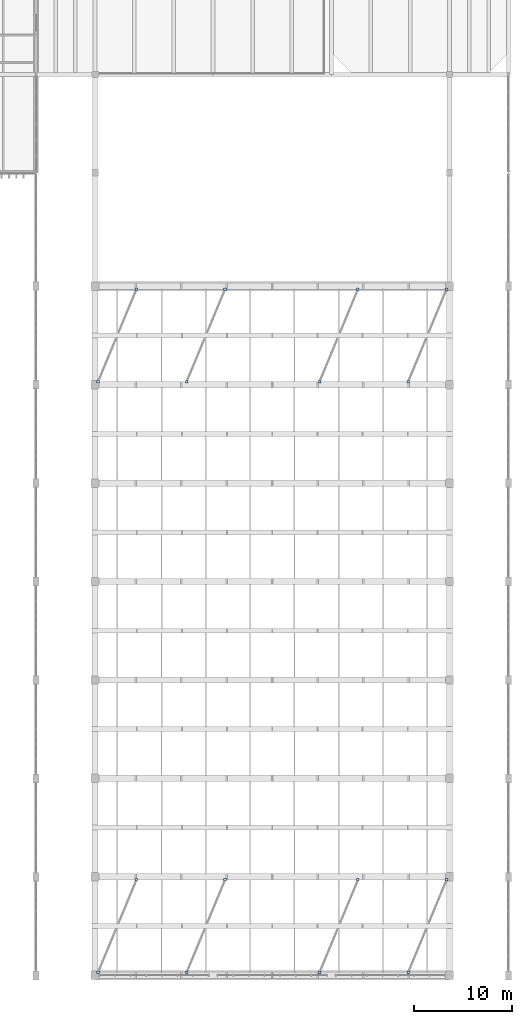
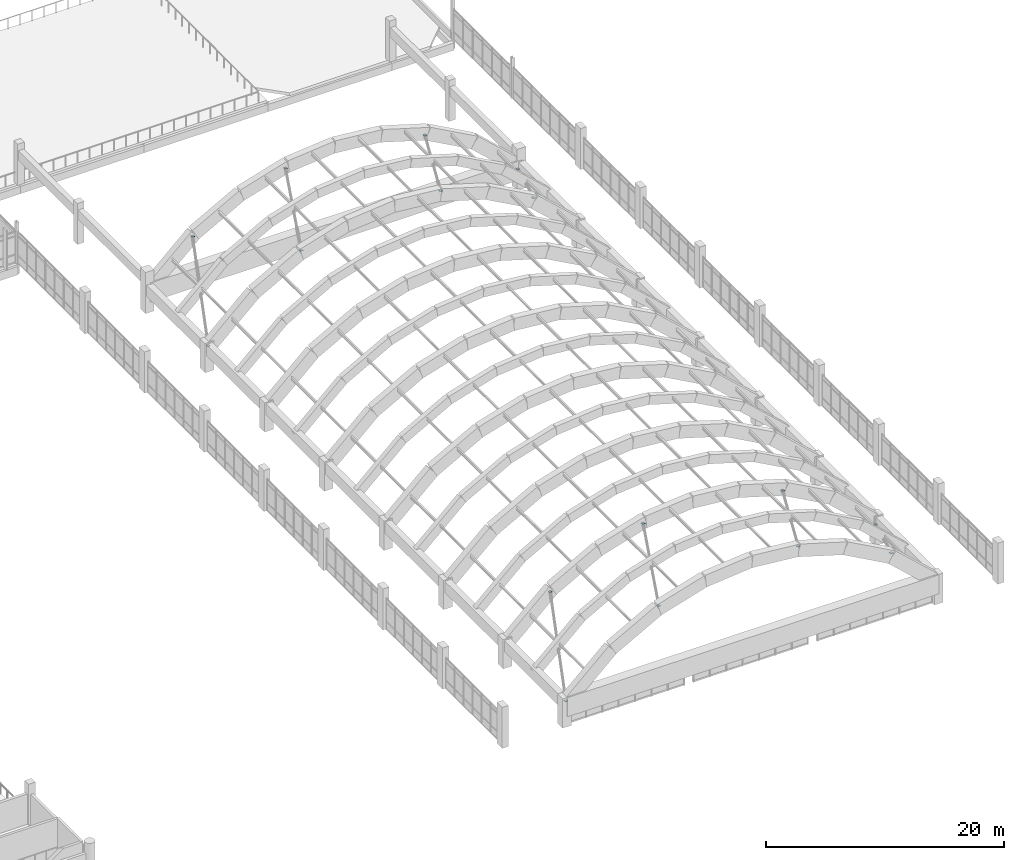
# One storey, part 101 of 111: 16 plates.
"""IFC4 building model written with IfcOpenShell, lengths in metres."""

from ifc_helpers import new_model, si_unit, direction, frame, origin, origin_2d, place, context, subcontext, project, spatial, rectangle, extrude, material, layer, layer_set, type_object, element, save


model = new_model("IFC4")

# Units and contexts
model_context = context("Model", 3, precision=1e-05, world=origin(), true_north=direction((0.0, 1.0)))
body_context = subcontext(model_context, "Body", "Model", "MODEL_VIEW")
ifc_project = project(units=[si_unit("LENGTHUNIT", "METRE"), si_unit("AREAUNIT", "SQUARE_METRE"), si_unit("VOLUMEUNIT", "CUBIC_METRE"), si_unit("PLANEANGLEUNIT", "RADIAN"), si_unit("MASSUNIT", "GRAM", prefix="KILO")], contexts=[model_context])

# Site, building, storey
site_placement = place(None, origin())
site = spatial("IfcSite", under=ifc_project, at=site_placement, CompositionType="ELEMENT")
building_placement = place(site_placement, origin())
building = spatial("IfcBuilding", under=site, at=building_placement, Name="Mersad Railyard Sports Hall", CompositionType="ELEMENT")
storey_placement = place(building_placement, frame((0.0, 0.0, 9.0)))
storey = spatial("IfcBuildingStorey", under=building, at=storey_placement, Name="L02", CompositionType="ELEMENT", Elevation=9.0)

# Plates
ifc_material = material(Name="Steel S355", Category="steel")
ifc_layer = layer(ifc_material, 0.02392578125)
ifc_layer_set = layer_set([ifc_layer], Name="Steel S355")
plate_type = type_object("IfcPlateType", Name="STR-PL-KP04", PredefinedType="SHEET", material=ifc_layer_set)
for number, where, z_axis, x_axis, name in (
    (1, (137.300048828125, 3.804931640625, 2.108154296875), (0.0, 0.0, 1.0), (1.0, 0.0, 0.0), "End cap plate KP04-0173"),
    (2, (141.199951171875, 13.195068359375, 6.240234375), (0.0, 0.0, 1.0), (1.0, 0.0, 0.0), "End cap plate KP04-0174"),
    (3, (146.300048828125, 3.804931640625, 8.715087890625), (0.0, 0.0, 1.0), (1.0, 0.0, 0.0), "End cap plate KP04-0175"),
    (4, (150.199951171875, 13.195068359375, 10.072998046875), (0.0, 0.0, 1.0), (1.0, 0.0, 0.0), "End cap plate KP04-0176"),
    (5, (159.800048828125, 3.804931640625, 10.072998046875), (0.0, 0.0, 1.0), (1.0, 0.0, 0.0), "End cap plate KP04-0177"),
    (6, (163.699951171875, 13.195068359375, 8.715087890625), (0.0, 0.0, 1.0), (1.0, 0.0, 0.0), "End cap plate KP04-0178"),
    (7, (168.800048828125, 3.804931640625, 6.240234375), (0.0, 0.0, 1.0), (1.0, 0.0, 0.0), "End cap plate KP04-0179"),
    (8, (172.699951171875, 13.195068359375, 2.108154296875), (0.0, 0.0, 1.0), (1.0, 0.0, 0.0), "End cap plate KP04-0180"),
    (9, (137.300048828125, 63.804931640625, 2.108154296875), (0.0, 0.0, 1.0), (1.0, 0.0, 0.0), "End cap plate KP04-0181"),
    (10, (141.199951171875, 73.195068359375, 6.240234375), (0.0, 0.0, 1.0), (1.0, 0.0, 0.0), "End cap plate KP04-0182"),
    (11, (146.300048828125, 63.804931640625, 8.715087890625), (0.0, 0.0, 1.0), (1.0, 0.0, 0.0), "End cap plate KP04-0183"),
    (12, (150.199951171875, 73.195068359375, 10.072998046875), (0.0, 0.0, 1.0), (1.0, 0.0, 0.0), "End cap plate KP04-0184"),
    (13, (159.800048828125, 63.804931640625, 10.072998046875), (0.0, 0.0, 1.0), (1.0, 0.0, 0.0), "End cap plate KP04-0185"),
    (14, (163.699951171875, 73.195068359375, 8.715087890625), (0.0, 0.0, 1.0), (1.0, 0.0, 0.0), "End cap plate KP04-0186"),
    (15, (168.800048828125, 63.804931640625, 6.240234375), (0.0, 0.0, 1.0), (1.0, 0.0, 0.0), "End cap plate KP04-0187"),
    (16, (172.699951171875, 73.195068359375, 2.108154296875), (0.0, 0.0, 1.0), (1.0, 0.0, 0.0), "End cap plate KP04-0188"),
):
    element("IfcPlate", number, at=place(storey_placement, frame(where, z_axis=z_axis, x_axis=x_axis)), inside=storey, type_object=plate_type, Name=name, PredefinedType="SHEET", context=body_context, shape_type="SweptSolid", body=[
        extrude(rectangle(XDim=0.260009765625, YDim=0.260009765625, at=origin_2d()), origin(), (0.0, 0.0, 1.0), 0.02392578125),
    ])

save(model, "model.ifc")
